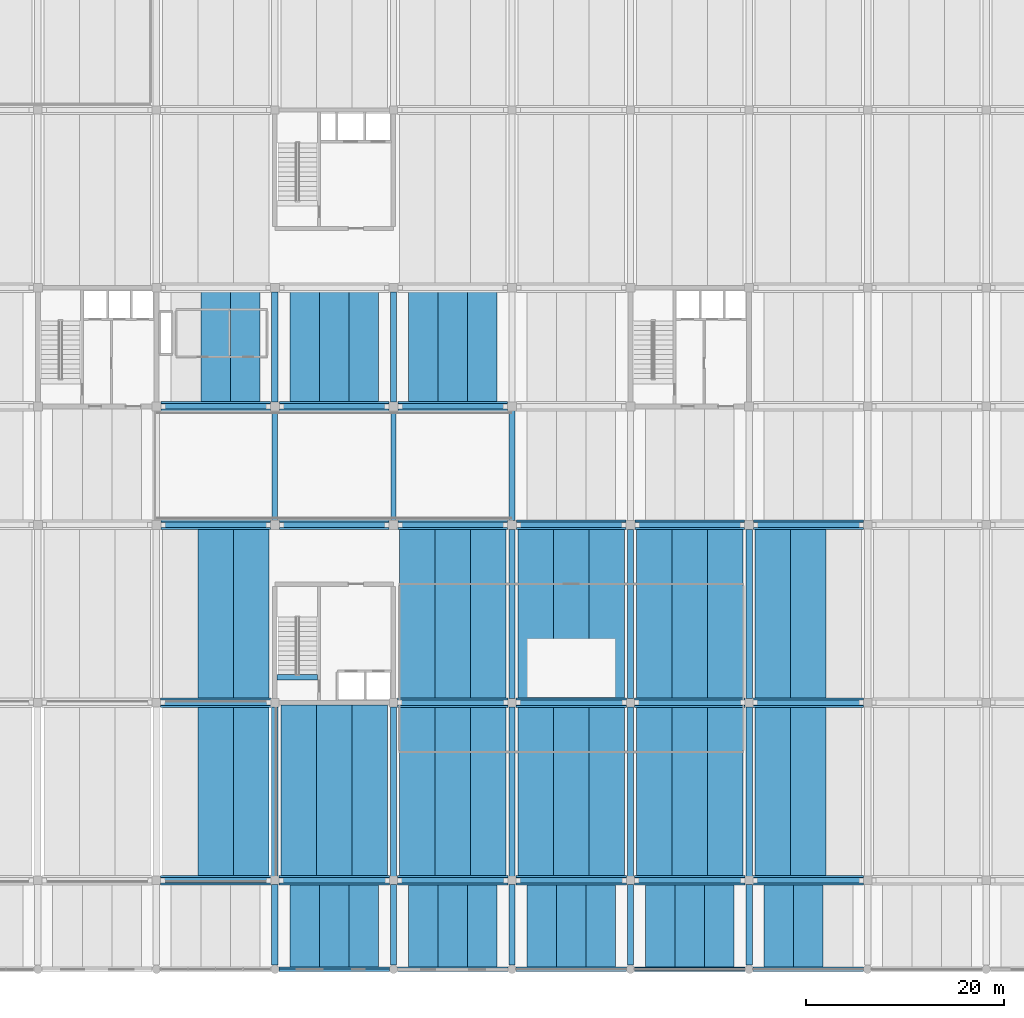
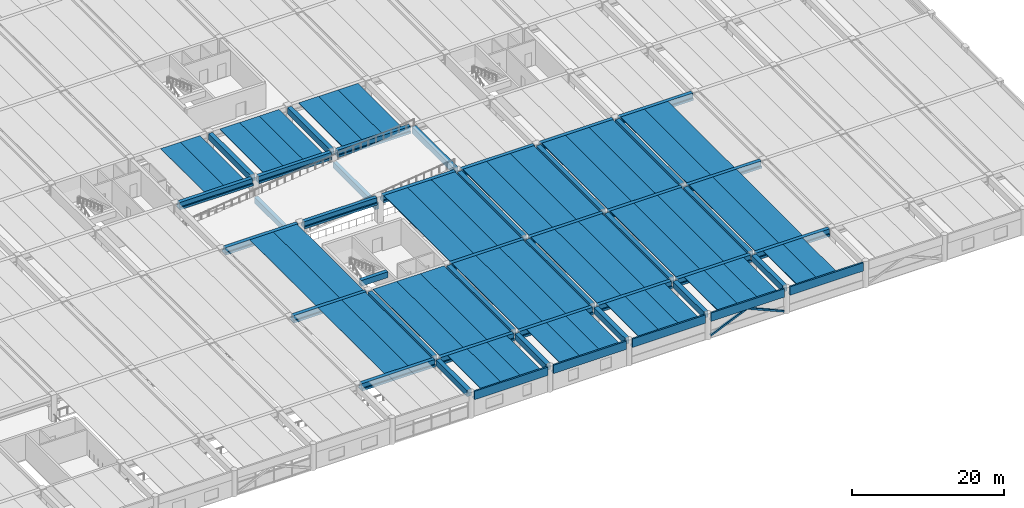
# One storey, part 12 of 50: 95 beams, 2 members.
"""IFC4 building model written with IfcOpenShell, lengths in metres."""

from ifc_helpers import new_model, si_unit, direction, frame, origin, origin_2d, place, context, subcontext, project, spatial, polyline, rectangle, hollow_rectangle, outline, extrude, material, material_profile, profile_set, type_object, element, save


model = new_model("IFC4")

# Units and contexts
model_context = context("Model", 3, precision=1e-05, world=origin(), true_north=direction((0.0, 1.0)))
body_context = subcontext(model_context, "Body", "Model", "MODEL_VIEW")
ifc_project = project(units=[si_unit("LENGTHUNIT", "METRE"), si_unit("AREAUNIT", "SQUARE_METRE"), si_unit("VOLUMEUNIT", "CUBIC_METRE"), si_unit("PLANEANGLEUNIT", "RADIAN"), si_unit("MASSUNIT", "GRAM", prefix="KILO")], contexts=[model_context])

# Site, building, storey
site_placement = place(None, origin())
site = spatial("IfcSite", under=ifc_project, at=site_placement, CompositionType="ELEMENT")
building_placement = place(site_placement, origin())
building = spatial("IfcBuilding", under=site, at=building_placement, Name="Girod Span Mobility Hub", CompositionType="ELEMENT")
storey_placement = place(building_placement, frame((0.0, 0.0, 5.39990234375)))
storey = spatial("IfcBuildingStorey", under=building, at=storey_placement, Name="L01", CompositionType="ELEMENT", Elevation=5.39990234375)

# Beams
ifc_material_1 = material(Name="Concrete C50/60", Category="concrete")
ifc_material_profile_1 = material_profile(ifc_material_1, outline(polyline([(-1.5, 0.35009765625), (-1.5, 0.2548828125), (-0.840087890625, 0.2548828125), (-0.81494140625, -0.35009765625), (-0.68505859375, -0.35009765625), (-0.659912109375, 0.2548828125), (0.659912109375, 0.2548828125), (0.68505859375, -0.35009765625), (0.81494140625, -0.35009765625), (0.840087890625, 0.2548828125), (1.5, 0.2548828125), (1.5, 0.35009765625), (-1.5, 0.35009765625)])), Name="DT-3000X700")
ifc_profile_set_1 = profile_set([ifc_material_profile_1], Name="Concrete C50/60")
beam_type_1 = type_object("IfcBeamType", Name="BM-DT-3000X700", PredefinedType="JOIST", material=ifc_profile_set_1)
for number, where, z_axis, x_axis, name in (
    (1, (66.0, 57.27197265625, 3.690185546875), (0.0, 1.0, 0.0), (-1.0, 0.0, 0.0), "Double-Tee Deck 6/E-2 L01"),
    (2, (69.0, 57.27197265625, 3.690185546875), (0.0, 1.0, 0.0), (-1.0, 0.0, 0.0), "Double-Tee Deck 6/E-3 L01"),
):
    element("IfcBeam", number, at=place(storey_placement, frame(where, z_axis=z_axis, x_axis=x_axis)), inside=storey, type_object=beam_type_1, Name=name, PredefinedType="JOIST", context=body_context, shape_type="SweptSolid", body=[
        extrude(outline(polyline([(-1.5, 0.35009765625), (-1.5, 0.2548828125), (-0.840087890625, 0.2548828125), (-0.81494140625, -0.35009765625), (-0.68505859375, -0.35009765625), (-0.659912109375, 0.2548828125), (0.659912109375, 0.2548828125), (0.68505859375, -0.35009765625), (0.81494140625, -0.35009765625), (0.840087890625, 0.2548828125), (1.5, 0.2548828125), (1.5, 0.35009765625), (-1.5, 0.35009765625)])), origin(), (0.0, 0.0, 1.0), 11.4560546875),
    ])
for number, where, z_axis, x_axis, name in (
    (3, (75.0, 0.02197265625, 3.690185546875), (0.0, 1.0, 0.0), (-1.0, 0.0, 0.0), "Double-Tee Deck 7/A-1 L01"),
    (4, (78.0, 0.02197265625, 3.690185546875), (0.0, 1.0, 0.0), (-1.0, 0.0, 0.0), "Double-Tee Deck 7/A-2 L01"),
    (5, (81.0, 0.02197265625, 3.690185546875), (0.0, 1.0, 0.0), (-1.0, 0.0, 0.0), "Double-Tee Deck 7/A-3 L01"),
):
    element("IfcBeam", number, at=place(storey_placement, frame(where, z_axis=z_axis, x_axis=x_axis)), inside=storey, type_object=beam_type_1, Name=name, PredefinedType="JOIST", context=body_context, shape_type="SweptSolid", body=[
        extrude(outline(polyline([(-1.5, 0.35009765625), (-1.5, 0.2548828125), (-0.840087890625, 0.2548828125), (-0.81494140625, -0.35009765625), (-0.68505859375, -0.35009765625), (-0.659912109375, 0.2548828125), (0.659912109375, 0.2548828125), (0.68505859375, -0.35009765625), (0.81494140625, -0.35009765625), (0.840087890625, 0.2548828125), (1.5, 0.2548828125), (1.5, 0.35009765625), (-1.5, 0.35009765625)])), origin(), (0.0, 0.0, 1.0), 8.7060546875),
    ])
for number, where, z_axis, x_axis, name in (
    (6, (75.0, 57.27197265625, 3.690185546875), (0.0, 1.0, 0.0), (-1.0, 0.0, 0.0), "Double-Tee Deck 7/E-1 L01"),
    (7, (78.0, 57.27197265625, 3.690185546875), (0.0, 1.0, 0.0), (-1.0, 0.0, 0.0), "Double-Tee Deck 7/E-2 L01"),
    (8, (81.0, 57.27197265625, 3.690185546875), (0.0, 1.0, 0.0), (-1.0, 0.0, 0.0), "Double-Tee Deck 7/E-3 L01"),
):
    element("IfcBeam", number, at=place(storey_placement, frame(where, z_axis=z_axis, x_axis=x_axis)), inside=storey, type_object=beam_type_1, Name=name, PredefinedType="JOIST", context=body_context, shape_type="SweptSolid", body=[
        extrude(outline(polyline([(-1.5, 0.35009765625), (-1.5, 0.2548828125), (-0.840087890625, 0.2548828125), (-0.81494140625, -0.35009765625), (-0.68505859375, -0.35009765625), (-0.659912109375, 0.2548828125), (0.659912109375, 0.2548828125), (0.68505859375, -0.35009765625), (0.81494140625, -0.35009765625), (0.840087890625, 0.2548828125), (1.5, 0.2548828125), (1.5, 0.35009765625), (-1.5, 0.35009765625)])), origin(), (0.0, 0.0, 1.0), 11.4560546875),
    ])
for number, where, z_axis, x_axis, name in (
    (9, (87.0, 0.02197265625, 3.690185546875), (0.0, 1.0, 0.0), (-1.0, 0.0, 0.0), "Double-Tee Deck 8/A-1 L01"),
    (10, (90.0, 0.02197265625, 3.690185546875), (0.0, 1.0, 0.0), (-1.0, 0.0, 0.0), "Double-Tee Deck 8/A-2 L01"),
    (11, (93.0, 0.02197265625, 3.690185546875), (0.0, 1.0, 0.0), (-1.0, 0.0, 0.0), "Double-Tee Deck 8/A-3 L01"),
):
    element("IfcBeam", number, at=place(storey_placement, frame(where, z_axis=z_axis, x_axis=x_axis)), inside=storey, type_object=beam_type_1, Name=name, PredefinedType="JOIST", context=body_context, shape_type="SweptSolid", body=[
        extrude(outline(polyline([(-1.5, 0.35009765625), (-1.5, 0.2548828125), (-0.840087890625, 0.2548828125), (-0.81494140625, -0.35009765625), (-0.68505859375, -0.35009765625), (-0.659912109375, 0.2548828125), (0.659912109375, 0.2548828125), (0.68505859375, -0.35009765625), (0.81494140625, -0.35009765625), (0.840087890625, 0.2548828125), (1.5, 0.2548828125), (1.5, 0.35009765625), (-1.5, 0.35009765625)])), origin(), (0.0, 0.0, 1.0), 8.7060546875),
    ])
for number, where, z_axis, x_axis, name in (
    (12, (87.0, 57.27197265625, 3.690185546875), (0.0, 1.0, 0.0), (-1.0, 0.0, 0.0), "Double-Tee Deck 8/E-1 L01"),
    (13, (90.0, 57.27197265625, 3.690185546875), (0.0, 1.0, 0.0), (-1.0, 0.0, 0.0), "Double-Tee Deck 8/E-2 L01"),
    (14, (93.0, 57.27197265625, 3.690185546875), (0.0, 1.0, 0.0), (-1.0, 0.0, 0.0), "Double-Tee Deck 8/E-3 L01"),
):
    element("IfcBeam", number, at=place(storey_placement, frame(where, z_axis=z_axis, x_axis=x_axis)), inside=storey, type_object=beam_type_1, Name=name, PredefinedType="JOIST", context=body_context, shape_type="SweptSolid", body=[
        extrude(outline(polyline([(-1.5, 0.35009765625), (-1.5, 0.2548828125), (-0.840087890625, 0.2548828125), (-0.81494140625, -0.35009765625), (-0.68505859375, -0.35009765625), (-0.659912109375, 0.2548828125), (0.659912109375, 0.2548828125), (0.68505859375, -0.35009765625), (0.81494140625, -0.35009765625), (0.840087890625, 0.2548828125), (1.5, 0.2548828125), (1.5, 0.35009765625), (-1.5, 0.35009765625)])), origin(), (0.0, 0.0, 1.0), 11.4560546875),
    ])
for number, where, z_axis, x_axis, name in (
    (15, (99.0, 0.02197265625, 3.690185546875), (0.0, 1.0, 0.0), (-1.0, 0.0, 0.0), "Double-Tee Deck 9/A-1 L01"),
    (16, (102.0, 0.02197265625, 3.690185546875), (0.0, 1.0, 0.0), (-1.0, 0.0, 0.0), "Double-Tee Deck 9/A-2 L01"),
    (17, (105.0, 0.02197265625, 3.690185546875), (0.0, 1.0, 0.0), (-1.0, 0.0, 0.0), "Double-Tee Deck 9/A-3 L01"),
    (18, (111.0, 0.02197265625, 3.690185546875), (0.0, 1.0, 0.0), (-1.0, 0.0, 0.0), "Double-Tee Deck 10/A-1 L01"),
    (19, (114.0, 0.02197265625, 3.690185546875), (0.0, 1.0, 0.0), (-1.0, 0.0, 0.0), "Double-Tee Deck 10/A-2 L01"),
    (20, (117.0, 0.02197265625, 3.690185546875), (0.0, 1.0, 0.0), (-1.0, 0.0, 0.0), "Double-Tee Deck 10/A-3 L01"),
    (21, (123.0, 0.02197265625, 3.690185546875), (0.0, 1.0, 0.0), (-1.0, 0.0, 0.0), "Double-Tee Deck 11/A-1 L01"),
    (22, (126.0, 0.02197265625, 3.690185546875), (0.0, 1.0, 0.0), (-1.0, 0.0, 0.0), "Double-Tee Deck 11/A-2 L01"),
):
    element("IfcBeam", number, at=place(storey_placement, frame(where, z_axis=z_axis, x_axis=x_axis)), inside=storey, type_object=beam_type_1, Name=name, PredefinedType="JOIST", context=body_context, shape_type="SweptSolid", body=[
        extrude(outline(polyline([(-1.5, 0.35009765625), (-1.5, 0.2548828125), (-0.840087890625, 0.2548828125), (-0.81494140625, -0.35009765625), (-0.68505859375, -0.35009765625), (-0.659912109375, 0.2548828125), (0.659912109375, 0.2548828125), (0.68505859375, -0.35009765625), (0.81494140625, -0.35009765625), (0.840087890625, 0.2548828125), (1.5, 0.2548828125), (1.5, 0.35009765625), (-1.5, 0.35009765625)])), origin(), (0.0, 0.0, 1.0), 8.7060546875),
    ])
ifc_material_2 = material(Name="Concrete C50/60", Category="concrete")
ifc_material_profile_2 = material_profile(ifc_material_2, outline(polyline([(-1.800048828125, 0.47509765625), (-1.800048828125, 0.364990234375), (-1.010009765625, 0.364990234375), (-0.97509765625, -0.47509765625), (-0.824951171875, -0.47509765625), (-0.7900390625, 0.364990234375), (0.7900390625, 0.364990234375), (0.824951171875, -0.47509765625), (0.97509765625, -0.47509765625), (1.010009765625, 0.364990234375), (1.800048828125, 0.364990234375), (1.800048828125, 0.47509765625), (-1.800048828125, 0.47509765625)])), Name="DT-3600X950")
ifc_profile_set_2 = profile_set([ifc_material_profile_2], Name="Concrete C50/60")
beam_type_2 = type_object("IfcBeamType", Name="BM-DT-3600X950", PredefinedType="JOIST", material=ifc_profile_set_2)
for number, where, z_axis, x_axis, name in (
    (23, (66.0, 9.27197265625, 3.565185546875), (0.0, 1.0, 0.0), (-1.0, 0.0, 0.0), "Double-Tee Deck 6/B-2 L01"),
    (24, (69.60009765625, 9.27197265625, 3.565185546875), (0.0, 1.0, 0.0), (-1.0, 0.0, 0.0), "Double-Tee Deck 6/B-3 L01"),
    (25, (66.0, 27.27197265625, 3.565185546875), (0.0, 1.0, 0.0), (-1.0, 0.0, 0.0), "Double-Tee Deck 6/C-2 L01"),
    (26, (69.60009765625, 27.27197265625, 3.565185546875), (0.0, 1.0, 0.0), (-1.0, 0.0, 0.0), "Double-Tee Deck 6/C-3 L01"),
):
    element("IfcBeam", number, at=place(storey_placement, frame(where, z_axis=z_axis, x_axis=x_axis)), inside=storey, type_object=beam_type_2, Name=name, PredefinedType="JOIST", context=body_context, shape_type="SweptSolid", body=[
        extrude(outline(polyline([(-1.800048828125, 0.47509765625), (-1.800048828125, 0.364990234375), (-1.010009765625, 0.364990234375), (-0.97509765625, -0.47509765625), (-0.824951171875, -0.47509765625), (-0.7900390625, 0.364990234375), (0.7900390625, 0.364990234375), (0.824951171875, -0.47509765625), (0.97509765625, -0.47509765625), (1.010009765625, 0.364990234375), (1.800048828125, 0.364990234375), (1.800048828125, 0.47509765625), (-1.800048828125, 0.47509765625)])), origin(), (0.0, 0.0, 1.0), 17.4560546875),
    ])
for number, where, z_axis, x_axis, name in (
    (27, (74.39990234375, 9.27197265625, 3.565185546875), (0.0, 1.0, 0.0), (-1.0, 0.0, 0.0), "Double-Tee Deck 7/B-1 L01"),
    (28, (78.0, 9.27197265625, 3.565185546875), (0.0, 1.0, 0.0), (-1.0, 0.0, 0.0), "Double-Tee Deck 7/B-2 L01"),
    (29, (81.60009765625, 9.27197265625, 3.565185546875), (0.0, 1.0, 0.0), (-1.0, 0.0, 0.0), "Double-Tee Deck 7/B-3 L01"),
):
    element("IfcBeam", number, at=place(storey_placement, frame(where, z_axis=z_axis, x_axis=x_axis)), inside=storey, type_object=beam_type_2, Name=name, PredefinedType="JOIST", context=body_context, shape_type="SweptSolid", body=[
        extrude(outline(polyline([(-1.800048828125, 0.47509765625), (-1.800048828125, 0.364990234375), (-1.010009765625, 0.364990234375), (-0.97509765625, -0.47509765625), (-0.824951171875, -0.47509765625), (-0.7900390625, 0.364990234375), (0.7900390625, 0.364990234375), (0.824951171875, -0.47509765625), (0.97509765625, -0.47509765625), (1.010009765625, 0.364990234375), (1.800048828125, 0.364990234375), (1.800048828125, 0.47509765625), (-1.800048828125, 0.47509765625)])), origin(), (0.0, 0.0, 1.0), 17.506103515625),
    ])
for number, where, z_axis, x_axis, name in (
    (30, (86.39990234375, 9.27197265625, 3.565185546875), (0.0, 1.0, 0.0), (-1.0, 0.0, 0.0), "Double-Tee Deck 8/B-1 L01"),
    (31, (90.0, 9.27197265625, 3.565185546875), (0.0, 1.0, 0.0), (-1.0, 0.0, 0.0), "Double-Tee Deck 8/B-2 L01"),
    (32, (93.60009765625, 9.27197265625, 3.565185546875), (0.0, 1.0, 0.0), (-1.0, 0.0, 0.0), "Double-Tee Deck 8/B-3 L01"),
    (33, (86.39990234375, 27.27197265625, 3.565185546875), (0.0, 1.0, 0.0), (-1.0, 0.0, 0.0), "Double-Tee Deck 8/C-1 L01"),
    (34, (90.0, 27.27197265625, 3.565185546875), (0.0, 1.0, 0.0), (-1.0, 0.0, 0.0), "Double-Tee Deck 8/C-2 L01"),
    (35, (93.60009765625, 27.27197265625, 3.565185546875), (0.0, 1.0, 0.0), (-1.0, 0.0, 0.0), "Double-Tee Deck 8/C-3 L01"),
    (36, (98.39990234375, 9.27197265625, 3.565185546875), (0.0, 1.0, 0.0), (-1.0, 0.0, 0.0), "Double-Tee Deck 9/B-1 L01"),
    (37, (102.0, 9.27197265625, 3.565185546875), (0.0, 1.0, 0.0), (-1.0, 0.0, 0.0), "Double-Tee Deck 9/B-2 L01"),
    (38, (105.60009765625, 9.27197265625, 3.565185546875), (0.0, 1.0, 0.0), (-1.0, 0.0, 0.0), "Double-Tee Deck 9/B-3 L01"),
    (39, (98.39990234375, 27.27197265625, 3.565185546875), (0.0, 1.0, 0.0), (-1.0, 0.0, 0.0), "Double-Tee Deck 9/C-1 L01"),
    (40, (102.0, 27.27197265625, 3.565185546875), (0.0, 1.0, 0.0), (-1.0, 0.0, 0.0), "Double-Tee Deck 9/C-2 L01"),
    (41, (105.60009765625, 27.27197265625, 3.565185546875), (0.0, 1.0, 0.0), (-1.0, 0.0, 0.0), "Double-Tee Deck 9/C-3 L01"),
    (42, (110.39990234375, 9.27197265625, 3.565185546875), (0.0, 1.0, 0.0), (-1.0, 0.0, 0.0), "Double-Tee Deck 10/B-1 L01"),
    (43, (114.0, 9.27197265625, 3.565185546875), (0.0, 1.0, 0.0), (-1.0, 0.0, 0.0), "Double-Tee Deck 10/B-2 L01"),
    (44, (117.60009765625, 9.27197265625, 3.565185546875), (0.0, 1.0, 0.0), (-1.0, 0.0, 0.0), "Double-Tee Deck 10/B-3 L01"),
    (45, (110.39990234375, 27.27197265625, 3.565185546875), (0.0, 1.0, 0.0), (-1.0, 0.0, 0.0), "Double-Tee Deck 10/C-1 L01"),
    (46, (114.0, 27.27197265625, 3.565185546875), (0.0, 1.0, 0.0), (-1.0, 0.0, 0.0), "Double-Tee Deck 10/C-2 L01"),
    (47, (117.60009765625, 27.27197265625, 3.565185546875), (0.0, 1.0, 0.0), (-1.0, 0.0, 0.0), "Double-Tee Deck 10/C-3 L01"),
    (48, (122.39990234375, 9.27197265625, 3.565185546875), (0.0, 1.0, 0.0), (-1.0, 0.0, 0.0), "Double-Tee Deck 11/B-1 L01"),
    (49, (126.0, 9.27197265625, 3.565185546875), (0.0, 1.0, 0.0), (-1.0, 0.0, 0.0), "Double-Tee Deck 11/B-2 L01"),
    (50, (122.39990234375, 27.27197265625, 3.565185546875), (0.0, 1.0, 0.0), (-1.0, 0.0, 0.0), "Double-Tee Deck 11/C-1 L01"),
    (51, (126.0, 27.27197265625, 3.565185546875), (0.0, 1.0, 0.0), (-1.0, 0.0, 0.0), "Double-Tee Deck 11/C-2 L01"),
):
    element("IfcBeam", number, at=place(storey_placement, frame(where, z_axis=z_axis, x_axis=x_axis)), inside=storey, type_object=beam_type_2, Name=name, PredefinedType="JOIST", context=body_context, shape_type="SweptSolid", body=[
        extrude(outline(polyline([(-1.800048828125, 0.47509765625), (-1.800048828125, 0.364990234375), (-1.010009765625, 0.364990234375), (-0.97509765625, -0.47509765625), (-0.824951171875, -0.47509765625), (-0.7900390625, 0.364990234375), (0.7900390625, 0.364990234375), (0.824951171875, -0.47509765625), (0.97509765625, -0.47509765625), (1.010009765625, 0.364990234375), (1.800048828125, 0.364990234375), (1.800048828125, 0.47509765625), (-1.800048828125, 0.47509765625)])), origin(), (0.0, 0.0, 1.0), 17.4560546875),
    ])
ifc_material_3 = material(Name="Concrete C50/60", Category="concrete")
ifc_material_profile_3 = material_profile(ifc_material_3, outline(polyline([(-0.47509765625, -0.52490234375), (0.47509765625, -0.52490234375), (0.47509765625, -0.175048828125), (0.27490234375, -0.175048828125), (0.27490234375, 0.52490234375), (-0.27490234375, 0.52490234375), (-0.27490234375, -0.175048828125), (-0.47509765625, -0.175048828125), (-0.47509765625, -0.52490234375)])), Name="IT-950X1050")
ifc_profile_set_3 = profile_set([ifc_material_profile_3], Name="Concrete C50/60")
beam_type_3 = type_object("IfcBeamType", Name="BM-IT-950X1050", PredefinedType="T_BEAM", material=ifc_profile_set_3)
for number, where, z_axis, x_axis, name in (
    (52, (60.422119140625, 9.0, 3.51513671875), (1.0, 0.0, 0.0), (0.0, 1.0, 0.0), "Girder 6-7/B L01"),
    (53, (72.422119140625, 9.0, 3.51513671875), (1.0, 0.0, 0.0), (0.0, 1.0, 0.0), "Girder 7-8/B L01"),
    (54, (84.422119140625, 9.0, 3.51513671875), (1.0, 0.0, 0.0), (0.0, 1.0, 0.0), "Girder 8-9/B L01"),
    (55, (96.422119140625, 9.0, 3.51513671875), (1.0, 0.0, 0.0), (0.0, 1.0, 0.0), "Girder 9-10/B L01"),
    (56, (108.422119140625, 9.0, 3.51513671875), (1.0, 0.0, 0.0), (0.0, 1.0, 0.0), "Girder 10-11/B L01"),
    (57, (120.422119140625, 9.0, 3.51513671875), (1.0, 0.0, 0.0), (0.0, 1.0, 0.0), "Girder 11-12/B L01"),
    (58, (60.422119140625, 27.0, 3.51513671875), (1.0, 0.0, 0.0), (0.0, 1.0, 0.0), "Girder 6-7/C L01"),
    (59, (84.422119140625, 27.0, 3.51513671875), (1.0, 0.0, 0.0), (0.0, 1.0, 0.0), "Girder 8-9/C L01"),
    (60, (96.422119140625, 27.0, 3.51513671875), (1.0, 0.0, 0.0), (0.0, 1.0, 0.0), "Girder 9-10/C L01"),
    (61, (108.422119140625, 27.0, 3.51513671875), (1.0, 0.0, 0.0), (0.0, 1.0, 0.0), "Girder 10-11/C L01"),
    (62, (120.422119140625, 27.0, 3.51513671875), (1.0, 0.0, 0.0), (0.0, 1.0, 0.0), "Girder 11-12/C L01"),
):
    element("IfcBeam", number, at=place(storey_placement, frame(where, z_axis=z_axis, x_axis=x_axis)), inside=storey, type_object=beam_type_3, Name=name, PredefinedType="T_BEAM", context=body_context, shape_type="SweptSolid", body=[
        extrude(outline(polyline([(-0.47509765625, -0.52490234375), (0.47509765625, -0.52490234375), (0.47509765625, -0.175048828125), (0.27490234375, -0.175048828125), (0.27490234375, 0.52490234375), (-0.27490234375, 0.52490234375), (-0.27490234375, -0.175048828125), (-0.47509765625, -0.175048828125), (-0.47509765625, -0.52490234375)])), origin(), (0.0, 0.0, 1.0), 11.15576171875),
    ])
for number, where, z_axis, x_axis, name in (
    (63, (60.447021484375, 45.0, 3.51513671875), (1.0, 0.0, 0.0), (0.0, 1.0, 0.0), "Girder 6-7/D L01"),
    (64, (72.447021484375, 45.0, 3.51513671875), (1.0, 0.0, 0.0), (0.0, 1.0, 0.0), "Girder 7-8/D L01"),
    (65, (84.447021484375, 45.0, 3.51513671875), (1.0, 0.0, 0.0), (0.0, 1.0, 0.0), "Girder 8-9/D L01"),
    (66, (96.447021484375, 45.0, 3.51513671875), (1.0, 0.0, 0.0), (0.0, 1.0, 0.0), "Girder 9-10/D L01"),
    (67, (108.447021484375, 45.0, 3.51513671875), (1.0, 0.0, 0.0), (0.0, 1.0, 0.0), "Girder 10-11/D L01"),
):
    element("IfcBeam", number, at=place(storey_placement, frame(where, z_axis=z_axis, x_axis=x_axis)), inside=storey, type_object=beam_type_3, Name=name, PredefinedType="T_BEAM", context=body_context, shape_type="SweptSolid", body=[
        extrude(outline(polyline([(-0.47509765625, -0.52490234375), (0.47509765625, -0.52490234375), (0.47509765625, -0.175048828125), (0.27490234375, -0.175048828125), (0.27490234375, 0.52490234375), (-0.27490234375, 0.52490234375), (-0.27490234375, -0.175048828125), (-0.47509765625, -0.175048828125), (-0.47509765625, -0.52490234375)])), origin(), (0.0, 0.0, 1.0), 11.10595703125),
    ])
beam_1_placement = place(storey_placement, frame((120.447021484375, 45.0, 3.51513671875), z_axis=(1.0, 0.0, 0.0), x_axis=(0.0, 1.0, 0.0)))
element("IfcBeam", 68, at=beam_1_placement, inside=storey, type_object=beam_type_3, Name="Girder 11-12/D L01", PredefinedType="T_BEAM", context=body_context, shape_type="SweptSolid", body=[
    extrude(outline(polyline([(-0.47509765625, -0.52490234375), (0.47509765625, -0.52490234375), (0.47509765625, -0.175048828125), (0.27490234375, -0.175048828125), (0.27490234375, 0.52490234375), (-0.27490234375, 0.52490234375), (-0.27490234375, -0.175048828125), (-0.47509765625, -0.175048828125), (-0.47509765625, -0.52490234375)])), origin(), (0.0, 0.0, 1.0), 11.130859375),
])
for number, where, z_axis, x_axis, name in (
    (69, (60.447021484375, 57.0, 3.51513671875), (1.0, 0.0, 0.0), (0.0, 1.0, 0.0), "Girder 6-7/E L01"),
    (70, (72.447021484375, 57.0, 3.51513671875), (1.0, 0.0, 0.0), (0.0, 1.0, 0.0), "Girder 7-8/E L01"),
    (71, (84.447021484375, 57.0, 3.51513671875), (1.0, 0.0, 0.0), (0.0, 1.0, 0.0), "Girder 8-9/E L01"),
):
    element("IfcBeam", number, at=place(storey_placement, frame(where, z_axis=z_axis, x_axis=x_axis)), inside=storey, type_object=beam_type_3, Name=name, PredefinedType="T_BEAM", context=body_context, shape_type="SweptSolid", body=[
        extrude(outline(polyline([(-0.47509765625, -0.52490234375), (0.47509765625, -0.52490234375), (0.47509765625, -0.175048828125), (0.27490234375, -0.175048828125), (0.27490234375, 0.52490234375), (-0.27490234375, 0.52490234375), (-0.27490234375, -0.175048828125), (-0.47509765625, -0.175048828125), (-0.47509765625, -0.52490234375)])), origin(), (0.0, 0.0, 1.0), 11.10595703125),
    ])
ifc_material_4 = material(Name="Concrete C40/50", Category="concrete")
ifc_material_profile_4 = material_profile(ifc_material_4, rectangle(XDim=0.550048828125, YDim=0.949951171875, at=origin_2d()), Name="RK-550X950")
ifc_profile_set_4 = profile_set([ifc_material_profile_4], Name="Concrete C40/50")
beam_type_4 = type_object("IfcBeamType", Name="BM-RK-550X950", PredefinedType="BEAM", material=ifc_profile_set_4)
beam_2_placement = place(storey_placement, frame((72.221923828125, 29.550048828125, 3.565185546875), z_axis=(1.0, 0.0, 0.0), x_axis=(0.0, 1.0, 0.0)))
element("IfcBeam", 72, at=beam_2_placement, inside=storey, type_object=beam_type_4, Name="Stair ST-3 Landing Header Beam L01", PredefinedType="BEAM", context=body_context, shape_type="SweptSolid", body=[
    extrude(rectangle(XDim=0.550048828125, YDim=0.949951171875, at=origin_2d()), origin(), (0.0, 0.0, 1.0), 4.0810546875),
])
for number, where, z_axis, x_axis, name in (
    (73, (72.0, 45.447021484375, 0.64501953125), (0.0, 1.0, 0.0), (-1.0, 0.0, 0.0), "Vehicular Ramp Support Beam X=72 L01"),
    (74, (84.0, 45.447021484375, 2.045166015625), (0.0, 1.0, 0.0), (-1.0, 0.0, 0.0), "Vehicular Ramp Support Beam X=84 L01"),
):
    element("IfcBeam", number, at=place(storey_placement, frame(where, z_axis=z_axis, x_axis=x_axis)), inside=storey, type_object=beam_type_4, Name=name, PredefinedType="BEAM", context=body_context, shape_type="SweptSolid", body=[
        extrude(rectangle(XDim=0.550048828125, YDim=0.949951171875, at=origin_2d()), origin(), (0.0, 0.0, 1.0), 11.10595703125),
    ])
ifc_material_5 = material(Name="Concrete C40/50", Category="concrete")
ifc_material_profile_5 = material_profile(ifc_material_5, outline(polyline([(-0.22509765625, -0.675048828125), (0.22509765625, -0.675048828125), (0.22509765625, -0.324951171875), (0.02490234375, -0.324951171875), (0.02490234375, 0.675048828125), (-0.22509765625, 0.675048828125), (-0.22509765625, -0.675048828125)])), Name="SP-450X1350")
ifc_profile_set_5 = profile_set([ifc_material_profile_5], Name="Concrete C40/50")
beam_type_5 = type_object("IfcBeamType", Name="BM-SP-450X1350", PredefinedType="SPANDREL", material=ifc_profile_set_5)
for number, where, z_axis, x_axis, name in (
    (75, (72.422119140625, 0.0, 3.364990234375), (1.0, 0.0, 0.0), (0.0, 1.0, 0.0), "Girder 7-8/A L01"),
    (76, (84.422119140625, 0.0, 3.364990234375), (1.0, 0.0, 0.0), (0.0, 1.0, 0.0), "Girder 8-9/A L01"),
    (77, (96.422119140625, 0.0, 3.364990234375), (1.0, 0.0, 0.0), (0.0, 1.0, 0.0), "Girder 9-10/A L01"),
    (78, (108.422119140625, 0.0, 3.364990234375), (1.0, 0.0, 0.0), (0.0, 1.0, 0.0), "Girder 10-11/A L01"),
    (79, (120.422119140625, 0.0, 3.364990234375), (1.0, 0.0, 0.0), (0.0, 1.0, 0.0), "Girder 11-12/A L01"),
):
    element("IfcBeam", number, at=place(storey_placement, frame(where, z_axis=z_axis, x_axis=x_axis)), inside=storey, type_object=beam_type_5, Name=name, PredefinedType="SPANDREL", context=body_context, shape_type="SweptSolid", body=[
        extrude(outline(polyline([(-0.22509765625, -0.675048828125), (0.22509765625, -0.675048828125), (0.22509765625, -0.324951171875), (0.02490234375, -0.324951171875), (0.02490234375, 0.675048828125), (-0.22509765625, 0.675048828125), (-0.22509765625, -0.675048828125)])), origin(), (0.0, 0.0, 1.0), 11.15576171875),
    ])
ifc_material_6 = material(Name="Concrete C40/50", Category="concrete")
ifc_material_profile_6 = material_profile(ifc_material_6, rectangle(XDim=0.64990234375, YDim=1.0, at=origin_2d()), Name="TG-650X1000")
ifc_profile_set_6 = profile_set([ifc_material_profile_6], Name="Concrete C40/50")
beam_type_6 = type_object("IfcBeamType", Name="BM-TG-650X1000", PredefinedType="T_BEAM", material=ifc_profile_set_6)
beam_3_placement = place(storey_placement, frame((72.0, 0.422119140625, 3.5400390625), z_axis=(0.0, 1.0, 0.0), x_axis=(-1.0, 0.0, 0.0)))
element("IfcBeam", 80, at=beam_3_placement, inside=storey, type_object=beam_type_6, Name="Tie Girder 7/A-B L01", PredefinedType="T_BEAM", context=body_context, shape_type="SweptSolid", body=[
    extrude(rectangle(XDim=0.64990234375, YDim=1.0, at=origin_2d()), origin(), (0.0, 0.0, 1.0), 8.15576171875),
])
beam_4_placement = place(storey_placement, frame((72.0, 9.422119140625, 3.5400390625), z_axis=(0.0, 1.0, 0.0), x_axis=(-1.0, 0.0, 0.0)))
element("IfcBeam", 81, at=beam_4_placement, inside=storey, type_object=beam_type_6, Name="Tie Girder 7/B-C L01", PredefinedType="T_BEAM", context=body_context, shape_type="SweptSolid", body=[
    extrude(rectangle(XDim=0.64990234375, YDim=1.0, at=origin_2d()), origin(), (0.0, 0.0, 1.0), 17.15576171875),
])
beam_5_placement = place(storey_placement, frame((72.0, 57.447021484375, 3.5400390625), z_axis=(0.0, 1.0, 0.0), x_axis=(-1.0, 0.0, 0.0)))
element("IfcBeam", 82, at=beam_5_placement, inside=storey, type_object=beam_type_6, Name="Tie Girder 7/E-F L01", PredefinedType="T_BEAM", context=body_context, shape_type="SweptSolid", body=[
    extrude(rectangle(XDim=0.64990234375, YDim=1.0, at=origin_2d()), origin(), (0.0, 0.0, 1.0), 11.10595703125),
])
beam_6_placement = place(storey_placement, frame((84.0, 0.422119140625, 3.5400390625), z_axis=(0.0, 1.0, 0.0), x_axis=(-1.0, 0.0, 0.0)))
element("IfcBeam", 83, at=beam_6_placement, inside=storey, type_object=beam_type_6, Name="Tie Girder 8/A-B L01", PredefinedType="T_BEAM", context=body_context, shape_type="SweptSolid", body=[
    extrude(rectangle(XDim=0.64990234375, YDim=1.0, at=origin_2d()), origin(), (0.0, 0.0, 1.0), 8.15576171875),
])
beam_7_placement = place(storey_placement, frame((84.0, 9.422119140625, 3.5400390625), z_axis=(0.0, 1.0, 0.0), x_axis=(-1.0, 0.0, 0.0)))
element("IfcBeam", 84, at=beam_7_placement, inside=storey, type_object=beam_type_6, Name="Tie Girder 8/B-C L01", PredefinedType="T_BEAM", context=body_context, shape_type="SweptSolid", body=[
    extrude(rectangle(XDim=0.64990234375, YDim=1.0, at=origin_2d()), origin(), (0.0, 0.0, 1.0), 17.15576171875),
])
beam_8_placement = place(storey_placement, frame((84.0, 57.447021484375, 3.5400390625), z_axis=(0.0, 1.0, 0.0), x_axis=(-1.0, 0.0, 0.0)))
element("IfcBeam", 85, at=beam_8_placement, inside=storey, type_object=beam_type_6, Name="Tie Girder 8/E-F L01", PredefinedType="T_BEAM", context=body_context, shape_type="SweptSolid", body=[
    extrude(rectangle(XDim=0.64990234375, YDim=1.0, at=origin_2d()), origin(), (0.0, 0.0, 1.0), 11.10595703125),
])
beam_9_placement = place(storey_placement, frame((96.0, 0.422119140625, 3.5400390625), z_axis=(0.0, 1.0, 0.0), x_axis=(-1.0, 0.0, 0.0)))
element("IfcBeam", 86, at=beam_9_placement, inside=storey, type_object=beam_type_6, Name="Tie Girder 9/A-B L01", PredefinedType="T_BEAM", context=body_context, shape_type="SweptSolid", body=[
    extrude(rectangle(XDim=0.64990234375, YDim=1.0, at=origin_2d()), origin(), (0.0, 0.0, 1.0), 8.15576171875),
])
beam_10_placement = place(storey_placement, frame((96.0, 9.422119140625, 3.5400390625), z_axis=(0.0, 1.0, 0.0), x_axis=(-1.0, 0.0, 0.0)))
element("IfcBeam", 87, at=beam_10_placement, inside=storey, type_object=beam_type_6, Name="Tie Girder 9/B-C L01", PredefinedType="T_BEAM", context=body_context, shape_type="SweptSolid", body=[
    extrude(rectangle(XDim=0.64990234375, YDim=1.0, at=origin_2d()), origin(), (0.0, 0.0, 1.0), 17.15576171875),
])
beam_11_placement = place(storey_placement, frame((96.0, 27.422119140625, 3.5400390625), z_axis=(0.0, 1.0, 0.0), x_axis=(-1.0, 0.0, 0.0)))
element("IfcBeam", 88, at=beam_11_placement, inside=storey, type_object=beam_type_6, Name="Tie Girder 9/C-D L01", PredefinedType="T_BEAM", context=body_context, shape_type="SweptSolid", body=[
    extrude(rectangle(XDim=0.64990234375, YDim=1.0, at=origin_2d()), origin(), (0.0, 0.0, 1.0), 17.130859375),
])
beam_12_placement = place(storey_placement, frame((96.0, 45.447021484375, 3.5400390625), z_axis=(0.0, 1.0, 0.0), x_axis=(-1.0, 0.0, 0.0)))
element("IfcBeam", 89, at=beam_12_placement, inside=storey, type_object=beam_type_6, Name="Tie Girder 9/D-E L01", PredefinedType="T_BEAM", context=body_context, shape_type="SweptSolid", body=[
    extrude(rectangle(XDim=0.64990234375, YDim=1.0, at=origin_2d()), origin(), (0.0, 0.0, 1.0), 11.10595703125),
])
beam_13_placement = place(storey_placement, frame((108.0, 0.422119140625, 3.5400390625), z_axis=(0.0, 1.0, 0.0), x_axis=(-1.0, 0.0, 0.0)))
element("IfcBeam", 90, at=beam_13_placement, inside=storey, type_object=beam_type_6, Name="Tie Girder 10/A-B L01", PredefinedType="T_BEAM", context=body_context, shape_type="SweptSolid", body=[
    extrude(rectangle(XDim=0.64990234375, YDim=1.0, at=origin_2d()), origin(), (0.0, 0.0, 1.0), 8.15576171875),
])
beam_14_placement = place(storey_placement, frame((108.0, 9.422119140625, 3.5400390625), z_axis=(0.0, 1.0, 0.0), x_axis=(-1.0, 0.0, 0.0)))
element("IfcBeam", 91, at=beam_14_placement, inside=storey, type_object=beam_type_6, Name="Tie Girder 10/B-C L01", PredefinedType="T_BEAM", context=body_context, shape_type="SweptSolid", body=[
    extrude(rectangle(XDim=0.64990234375, YDim=1.0, at=origin_2d()), origin(), (0.0, 0.0, 1.0), 17.15576171875),
])
beam_15_placement = place(storey_placement, frame((108.0, 27.422119140625, 3.5400390625), z_axis=(0.0, 1.0, 0.0), x_axis=(-1.0, 0.0, 0.0)))
element("IfcBeam", 92, at=beam_15_placement, inside=storey, type_object=beam_type_6, Name="Tie Girder 10/C-D L01", PredefinedType="T_BEAM", context=body_context, shape_type="SweptSolid", body=[
    extrude(rectangle(XDim=0.64990234375, YDim=1.0, at=origin_2d()), origin(), (0.0, 0.0, 1.0), 17.130859375),
])
beam_16_placement = place(storey_placement, frame((120.0, 0.422119140625, 3.5400390625), z_axis=(0.0, 1.0, 0.0), x_axis=(-1.0, 0.0, 0.0)))
element("IfcBeam", 93, at=beam_16_placement, inside=storey, type_object=beam_type_6, Name="Tie Girder 11/A-B L01", PredefinedType="T_BEAM", context=body_context, shape_type="SweptSolid", body=[
    extrude(rectangle(XDim=0.64990234375, YDim=1.0, at=origin_2d()), origin(), (0.0, 0.0, 1.0), 8.15576171875),
])
beam_17_placement = place(storey_placement, frame((120.0, 9.422119140625, 3.5400390625), z_axis=(0.0, 1.0, 0.0), x_axis=(-1.0, 0.0, 0.0)))
element("IfcBeam", 94, at=beam_17_placement, inside=storey, type_object=beam_type_6, Name="Tie Girder 11/B-C L01", PredefinedType="T_BEAM", context=body_context, shape_type="SweptSolid", body=[
    extrude(rectangle(XDim=0.64990234375, YDim=1.0, at=origin_2d()), origin(), (0.0, 0.0, 1.0), 17.15576171875),
])
beam_18_placement = place(storey_placement, frame((120.0, 27.422119140625, 3.5400390625), z_axis=(0.0, 1.0, 0.0), x_axis=(-1.0, 0.0, 0.0)))
element("IfcBeam", 95, at=beam_18_placement, inside=storey, type_object=beam_type_6, Name="Tie Girder 11/C-D L01", PredefinedType="T_BEAM", context=body_context, shape_type="SweptSolid", body=[
    extrude(rectangle(XDim=0.64990234375, YDim=1.0, at=origin_2d()), origin(), (0.0, 0.0, 1.0), 17.130859375),
])

# Members
ifc_material_7 = material(Name="Steel HSS A500 Grade C", Category="steel")
ifc_material_profile_7 = material_profile(ifc_material_7, hollow_rectangle(XDim=0.304931640625, YDim=0.304931640625, WallThickness=0.014892578125, InnerFilletRadius=0.014892578125, OuterFilletRadius=0.029541015625, at=origin_2d()), Name="HSS305X305X16")
ifc_profile_set_7 = profile_set([ifc_material_profile_7], Name="Steel HSS A500 Grade C")
member_type = type_object("IfcMemberType", Name="MB-BR-HSS305", PredefinedType="BRACE", material=ifc_profile_set_7)
for number, where, z_axis, x_axis, name in (
    (96, (108.405029296875, 0.0, 0.35009765625), (0.917828641156, 0.0, 0.396976807223), (0.0, 1.0, 0.0), "Perimeter Chevron Brace 10/A-L L01"),
    (97, (119.594970703125, 0.0, 0.35009765625), (-0.917828641156, 0.0, 0.396976807223), (0.0, -1.0, 0.0), "Perimeter Chevron Brace 10/A-R L01"),
):
    element("IfcMember", number, at=place(storey_placement, frame(where, z_axis=z_axis, x_axis=x_axis)), inside=storey, type_object=member_type, Name=name, PredefinedType="BRACE", context=body_context, shape_type="SweptSolid", body=[
        extrude(hollow_rectangle(XDim=0.304931640625, YDim=0.304931640625, WallThickness=0.014892578125, InnerFilletRadius=0.014892578125, OuterFilletRadius=0.029541015625, at=origin_2d()), origin(), (0.0, 0.0, 1.0), 6.095947265625),
    ])

save(model, "model.ifc")
